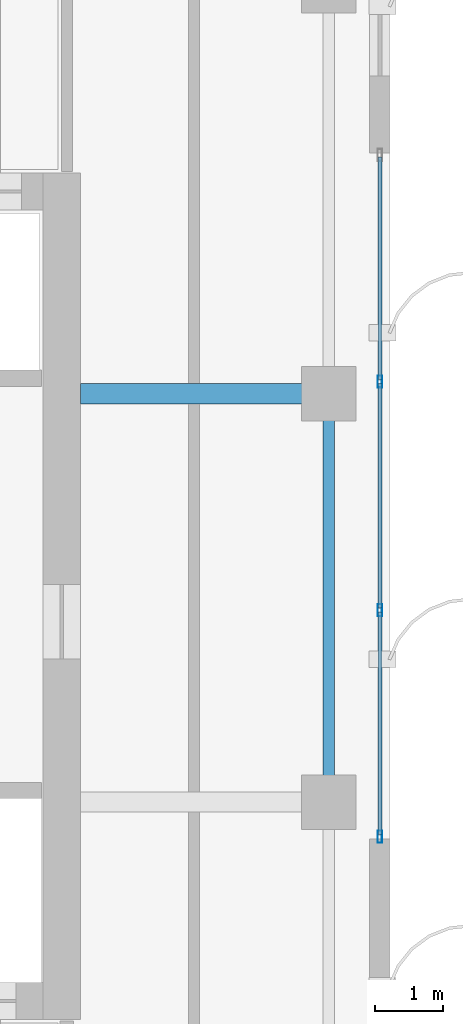
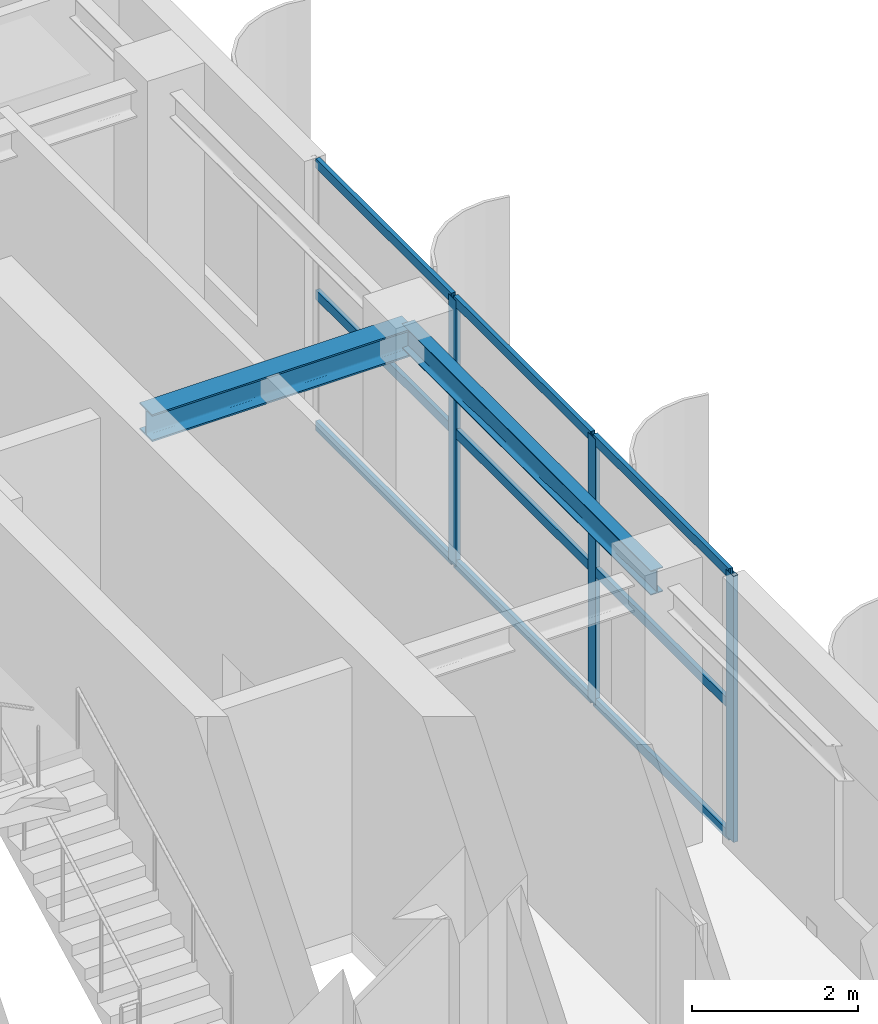
# One storey, part 12 of 26: 12 members, 2 beams, 1 element without a shape of its own.
"""IFC4 building model written with IfcOpenShell, lengths in metres."""

from ifc_helpers import new_model, si_unit, direction, frame, origin, origin_2d, place, context, subcontext, project, spatial, hollow_rectangle, i_section, extrude, source, transform, mapped, material, layer, layer_set, material_profile, profile_set, type_object, element, aggregate, save


model = new_model("IFC4")

# Units and contexts
model_context = context("Model", 3, precision=1e-05, world=origin(), true_north=direction((0.0, 1.0)))
body_context = subcontext(model_context, "Body", "Model", "MODEL_VIEW")
ifc_project = project(units=[si_unit("LENGTHUNIT", "METRE"), si_unit("AREAUNIT", "SQUARE_METRE"), si_unit("VOLUMEUNIT", "CUBIC_METRE"), si_unit("PLANEANGLEUNIT", "RADIAN"), si_unit("MASSUNIT", "GRAM", prefix="KILO")], contexts=[model_context])

# Site, building, storey
site_placement = place(None, origin())
site = spatial("IfcSite", under=ifc_project, at=site_placement, CompositionType="ELEMENT")
building_placement = place(site_placement, origin())
building = spatial("IfcBuilding", under=site, at=building_placement, Name="Khoralis Quay Care Tower", CompositionType="ELEMENT")
storey_placement = place(building_placement, frame((0.0, 0.0, 289.5)))
storey = spatial("IfcBuildingStorey", under=building, at=storey_placement, Name="L76", CompositionType="ELEMENT", Elevation=289.5)

# Beams
ifc_material_1 = material(Name="Steel S355", Category="steel")
ifc_material_profile_1 = material_profile(ifc_material_1, i_section(OverallWidth=0.169921875, OverallDepth=0.360107421875, WebThickness=0.008056640625, FlangeThickness=0.0126953125, FilletRadius=0.01806640625, at=origin_2d()), Name="Steel S355")
ifc_profile_set_1 = profile_set([ifc_material_profile_1], Name="Steel S355")
beam_type_1 = type_object("IfcBeamType", Name="BM-IPE360", PredefinedType="SPANDREL", material=ifc_profile_set_1)
shared_shape_1 = source(origin(), body_context, "Body", "SweptSolid", [
    extrude(i_section(OverallWidth=0.169921875, OverallDepth=0.360107421875, WebThickness=0.008056640625, FlangeThickness=0.0126953125, FilletRadius=0.01806640625, at=origin_2d()), origin(), (0.0, 0.0, 1.0), 6.0),
])
beam_1_placement = place(storey_placement, frame((41.10009765625, 18.0, 3.739990234375), z_axis=(0.0, 1.0, 0.0), x_axis=(-1.0, 0.0, 0.0)))
element("IfcBeam", 1, at=beam_1_placement, inside=storey, type_object=beam_type_1, Name="BM-TSP-L76-14", PredefinedType="SPANDREL", context=body_context, shape_type="MappedRepresentation", body=[
    mapped(shared_shape_1, transform((0.0, 0.0, 0.0), scale=1.0)),
])
ifc_material_profile_2 = material_profile(ifc_material_1, i_section(OverallWidth=0.300048828125, OverallDepth=0.39990234375, WebThickness=0.013427734375, FlangeThickness=0.02392578125, FilletRadius=0.027099609375, at=origin_2d()), Name="Steel S355")
ifc_profile_set_2 = profile_set([ifc_material_profile_2], Name="Steel S355")
beam_type_2 = type_object("IfcBeamType", Name="BM-HEB400", PredefinedType="BEAM", material=ifc_profile_set_2)
shared_shape_2 = source(origin(), body_context, "Body", "SweptSolid", [
    extrude(i_section(OverallWidth=0.300048828125, OverallDepth=0.39990234375, WebThickness=0.013427734375, FlangeThickness=0.02392578125, FilletRadius=0.027099609375, at=origin_2d()), origin(), (0.0, 0.0, 1.0), 3.652099609375),
])
beam_2_placement = place(storey_placement, frame((37.447998046875, 24.0, 3.719970703125), z_axis=(1.0, 0.0, 0.0), x_axis=(0.0, 1.0, 0.0)))
element("IfcBeam", 2, at=beam_2_placement, inside=storey, type_object=beam_type_2, Name="BM-TGXE-L76-240", PredefinedType="BEAM", context=body_context, shape_type="MappedRepresentation", body=[
    mapped(shared_shape_2, transform((0.0, 0.0, 0.0), scale=1.0)),
])

# Curtain wall, members
ifc_material_2 = material(Name="Pale anodised aluminium", Category="aluminium")
ifc_layer = layer(ifc_material_2, 0.159912109375)
ifc_layer_set = layer_set([ifc_layer], Name="Pale anodised aluminium")
curtain_wall_type = type_object("IfcCurtainWallType", Name="CW-SYS-Z3", PredefinedType="NOTDEFINED", material=ifc_layer_set)
curtain_wall_placement = place(storey_placement, origin())
curtain_wall = element("IfcCurtainWall", 3, at=curtain_wall_placement, inside=storey, type_object=curtain_wall_type, Name="L76 Unitised Curtain Wall CW-L76-P1-E5", PredefinedType="NOTDEFINED")
ifc_material_profile_3 = material_profile(ifc_material_2, hollow_rectangle(XDim=0.06005859375, YDim=0.139892578125, WallThickness=0.00390625, at=origin_2d()), Name="Pale anodised aluminium")
ifc_profile_set_3 = profile_set([ifc_material_profile_3], Name="Pale anodised aluminium")
member_type_1 = type_object("IfcMemberType", Name="CW-TRN-140", PredefinedType="USERDEFINED", material=ifc_profile_set_3)
shared_shape_3 = source(origin(), body_context, "Body", "SweptSolid", [
    extrude(hollow_rectangle(XDim=0.06005859375, YDim=0.139892578125, WallThickness=0.00390625, at=origin_2d()), origin(), (0.0, 0.0, 1.0), 3.27001953125),
])
member_1_placement = place(storey_placement, frame((41.85009765625, 17.52001953125, 0.030029296875), z_axis=(0.0, 1.0, 0.0), x_axis=(-1.0, 0.0, 0.0)))
member_1 = element("IfcMember", 4, at=member_1_placement, type_object=member_type_1, Name="CW3 transom 1.1", ObjectType="TRANSOM", PredefinedType="USERDEFINED", context=body_context, shape_type="MappedRepresentation", body=[
    mapped(shared_shape_3, transform((0.0, 0.0, 0.0), scale=1.0)),
])
member_2_placement = place(storey_placement, frame((41.85009765625, 17.52001953125, 1.9599609375), z_axis=(0.0, 1.0, 0.0), x_axis=(-1.0, 0.0, 0.0)))
member_2 = element("IfcMember", 5, at=member_2_placement, type_object=member_type_1, Name="CW3 transom 1.2", ObjectType="TRANSOM", PredefinedType="USERDEFINED", context=body_context, shape_type="MappedRepresentation", body=[
    mapped(shared_shape_3, transform((0.0, 0.0, 0.0), scale=1.0)),
])
member_3_placement = place(storey_placement, frame((41.85009765625, 17.52001953125, 3.889892578125), z_axis=(0.0, 1.0, 0.0), x_axis=(-1.0, 0.0, 0.0)))
member_3 = element("IfcMember", 6, at=member_3_placement, type_object=member_type_1, Name="CW3 transom 1.3", ObjectType="TRANSOM", PredefinedType="USERDEFINED", context=body_context, shape_type="MappedRepresentation", body=[
    mapped(shared_shape_3, transform((0.0, 0.0, 0.0), scale=1.0)),
])
member_4_placement = place(storey_placement, frame((41.85009765625, 24.2099609375, 0.030029296875), z_axis=(0.0, 1.0, 0.0), x_axis=(-1.0, 0.0, 0.0)))
member_4 = element("IfcMember", 7, at=member_4_placement, type_object=member_type_1, Name="CW3 transom 3.1", ObjectType="TRANSOM", PredefinedType="USERDEFINED", context=body_context, shape_type="MappedRepresentation", body=[
    mapped(shared_shape_3, transform((0.0, 0.0, 0.0), scale=1.0)),
])
member_5_placement = place(storey_placement, frame((41.85009765625, 24.2099609375, 1.9599609375), z_axis=(0.0, 1.0, 0.0), x_axis=(-1.0, 0.0, 0.0)))
member_5 = element("IfcMember", 8, at=member_5_placement, type_object=member_type_1, Name="CW3 transom 3.2", ObjectType="TRANSOM", PredefinedType="USERDEFINED", context=body_context, shape_type="MappedRepresentation", body=[
    mapped(shared_shape_3, transform((0.0, 0.0, 0.0), scale=1.0)),
])
member_6_placement = place(storey_placement, frame((41.85009765625, 24.2099609375, 3.889892578125), z_axis=(0.0, 1.0, 0.0), x_axis=(-1.0, 0.0, 0.0)))
member_6 = element("IfcMember", 9, at=member_6_placement, type_object=member_type_1, Name="CW3 transom 3.3", ObjectType="TRANSOM", PredefinedType="USERDEFINED", context=body_context, shape_type="MappedRepresentation", body=[
    mapped(shared_shape_3, transform((0.0, 0.0, 0.0), scale=1.0)),
])
shared_shape_4 = source(origin(), body_context, "Body", "SweptSolid", [
    extrude(hollow_rectangle(XDim=0.06005859375, YDim=0.139892578125, WallThickness=0.00390625, at=origin_2d()), origin(), (0.0, 0.0, 1.0), 3.2998046875),
])
member_7_placement = place(storey_placement, frame((41.85009765625, 20.85009765625, 0.030029296875), z_axis=(0.0, 1.0, 0.0), x_axis=(-1.0, 0.0, 0.0)))
member_7 = element("IfcMember", 10, at=member_7_placement, type_object=member_type_1, Name="CW3 transom 2.1", ObjectType="TRANSOM", PredefinedType="USERDEFINED", context=body_context, shape_type="MappedRepresentation", body=[
    mapped(shared_shape_4, transform((0.0, 0.0, 0.0), scale=1.0)),
])
member_8_placement = place(storey_placement, frame((41.85009765625, 20.85009765625, 1.9599609375), z_axis=(0.0, 1.0, 0.0), x_axis=(-1.0, 0.0, 0.0)))
member_8 = element("IfcMember", 11, at=member_8_placement, type_object=member_type_1, Name="CW3 transom 2.2", ObjectType="TRANSOM", PredefinedType="USERDEFINED", context=body_context, shape_type="MappedRepresentation", body=[
    mapped(shared_shape_4, transform((0.0, 0.0, 0.0), scale=1.0)),
])
member_9_placement = place(storey_placement, frame((41.85009765625, 20.85009765625, 3.889892578125), z_axis=(0.0, 1.0, 0.0), x_axis=(-1.0, 0.0, 0.0)))
member_9 = element("IfcMember", 12, at=member_9_placement, type_object=member_type_1, Name="CW3 transom 2.3", ObjectType="TRANSOM", PredefinedType="USERDEFINED", context=body_context, shape_type="MappedRepresentation", body=[
    mapped(shared_shape_4, transform((0.0, 0.0, 0.0), scale=1.0)),
])
ifc_material_profile_4 = material_profile(ifc_material_2, hollow_rectangle(XDim=0.06494140625, YDim=0.179931640625, WallThickness=0.00390625, at=origin_2d()), Name="Pale anodised aluminium")
ifc_profile_set_4 = profile_set([ifc_material_profile_4], Name="Pale anodised aluminium")
member_type_2 = type_object("IfcMemberType", Name="CW-MUL-180", PredefinedType="MULLION", material=ifc_profile_set_4)
shared_shape_5 = source(origin(), body_context, "Body", "SweptSolid", [
    extrude(hollow_rectangle(XDim=0.06494140625, YDim=0.179931640625, WallThickness=0.00390625, at=origin_2d()), origin(), (0.0, 0.0, 1.0), 3.919921875),
])
member_10_placement = place(storey_placement, frame((41.85009765625, 17.489990234375, 0.0), z_axis=(0.0, 0.0, 1.0), x_axis=(-1.0, 0.0, 0.0)))
member_10 = element("IfcMember", 13, at=member_10_placement, type_object=member_type_2, Name="CW3 mullion 1", PredefinedType="MULLION", context=body_context, shape_type="MappedRepresentation", body=[
    mapped(shared_shape_5, transform((0.0, 0.0, 0.0), scale=1.0)),
])
member_11_placement = place(storey_placement, frame((41.85009765625, 20.820068359375, 0.0), z_axis=(0.0, 0.0, 1.0), x_axis=(-1.0, 0.0, 0.0)))
member_11 = element("IfcMember", 14, at=member_11_placement, type_object=member_type_2, Name="CW3 mullion 2", PredefinedType="MULLION", context=body_context, shape_type="MappedRepresentation", body=[
    mapped(shared_shape_5, transform((0.0, 0.0, 0.0), scale=1.0)),
])
member_12_placement = place(storey_placement, frame((41.85009765625, 24.179931640625, 0.0), z_axis=(0.0, 0.0, 1.0), x_axis=(-1.0, 0.0, 0.0)))
member_12 = element("IfcMember", 15, at=member_12_placement, type_object=member_type_2, Name="CW3 mullion 3", PredefinedType="MULLION", context=body_context, shape_type="MappedRepresentation", body=[
    mapped(shared_shape_5, transform((0.0, 0.0, 0.0), scale=1.0)),
])
aggregate(curtain_wall, [member_10, member_11, member_12, member_1, member_2, member_3, member_7, member_8, member_9, member_4, member_5, member_6])

save(model, "model.ifc")
